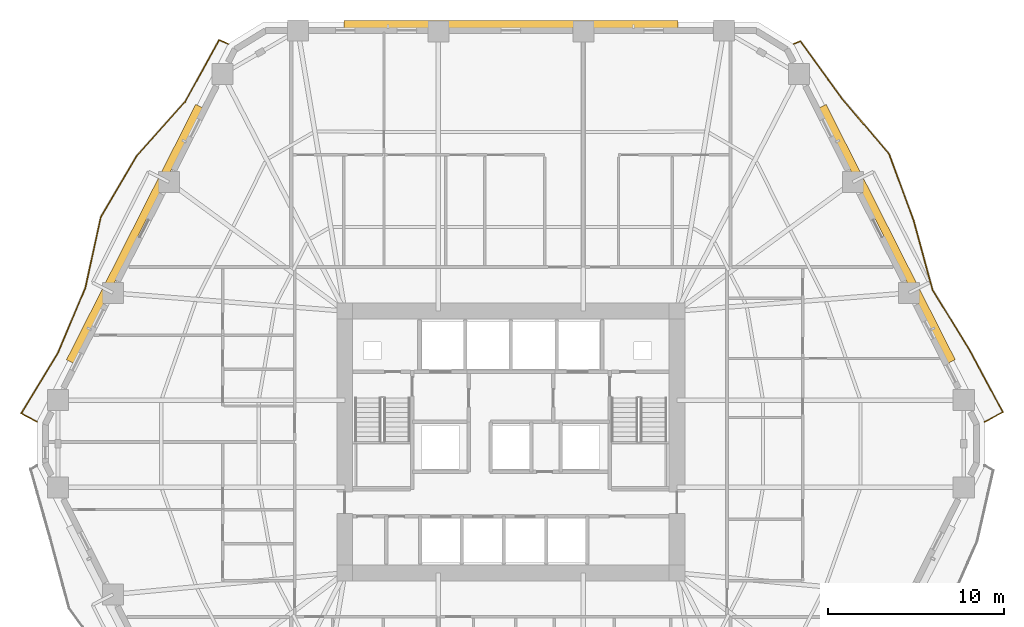
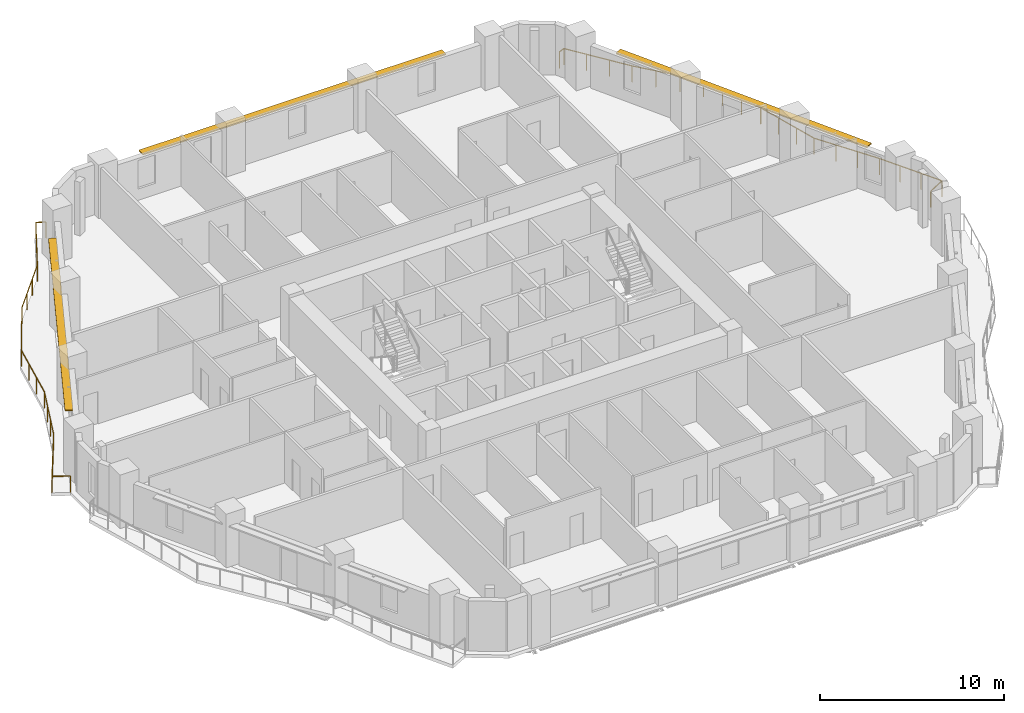
# One storey, part 14 of 14: 3 shading devices, 2 railings.
"""IFC4 building model written with IfcOpenShell, lengths in metres."""

from ifc_helpers import new_model, si_unit, direction, frame, origin, origin_2d, place, context, subcontext, project, spatial, rectangle, extrude, material, layer, layer_set, type_object, element, save


model = new_model("IFC4")

# Units and contexts
model_context = context("Model", 3, precision=1e-05, world=origin(), true_north=direction((0.0, 1.0)))
body_context = subcontext(model_context, "Body", "Model", "MODEL_VIEW")
ifc_project = project(units=[si_unit("LENGTHUNIT", "METRE"), si_unit("AREAUNIT", "SQUARE_METRE"), si_unit("VOLUMEUNIT", "CUBIC_METRE"), si_unit("PLANEANGLEUNIT", "RADIAN"), si_unit("MASSUNIT", "GRAM", prefix="KILO")], contexts=[model_context])

# Site, building, storey
site_placement = place(None, origin())
site = spatial("IfcSite", under=ifc_project, at=site_placement, CompositionType="ELEMENT")
building_placement = place(site_placement, origin())
building = spatial("IfcBuilding", under=site, at=building_placement, Name="Cinnabar Lancet Tower", CompositionType="ELEMENT")
storey_placement = place(building_placement, frame((0.0, 0.0, 35.550048828125)))
storey = spatial("IfcBuildingStorey", under=building, at=storey_placement, Name="L08", CompositionType="ELEMENT", Elevation=35.550048828125)

# Railings
ifc_material_1 = material(Name="Laminated safety glass and bronze stainless steel balustrade", Category="steel")
railing_type = type_object("IfcRailingType", Name="ENV-RLG-BAL-1100", PredefinedType="BALUSTRADE", material=ifc_material_1)
railing_1_placement = place(storey_placement, frame((59.367919921875, 27.049072265625, 0.0)))
element("IfcRailing", 1, at=railing_1_placement, inside=storey, type_object=railing_type, Name="L08 Face 3 Wave Balcony Balustrade", PredefinedType="BALUSTRADE", context=body_context, shape_type="SweptSolid", body=[
    extrude(rectangle(XDim=0.048095703125, YDim=0.048095703125, at=origin_2d()), frame((0.0, 0.0, 1.076171875), z_axis=(0.881160268064, 0.472817704815, 0.0), x_axis=(-0.472817704815, 0.881160268064, 0.0)), (0.0, 0.0, 1.0), 1.15869140625),
    extrude(rectangle(XDim=0.048095703125, YDim=0.048095703125, at=origin_2d()), frame((1.02099609375, 0.5478515625, 1.076171875), z_axis=(-0.472064185941, 0.881564180507, 0.0), x_axis=(-0.881564180507, -0.472064185941, 0.0)), (0.0, 0.0, 1.0), 4.007568359375),
    extrude(rectangle(XDim=0.048095703125, YDim=0.048095703125, at=origin_2d()), frame((-0.870849609375, 4.080810546875, 1.076171875), z_axis=(-0.523602646146, 0.851962598328, 0.0), x_axis=(-0.851962598328, -0.523602646146, 0.0)), (0.0, 0.0, 1.0), 4.020263671875),
    extrude(rectangle(XDim=0.048095703125, YDim=0.048095703125, at=origin_2d()), frame((-2.975830078125, 7.505859375, 1.076171875), z_axis=(-0.263233622832, 0.964732118161, 0.0), x_axis=(-0.964732118161, -0.263233622832, 0.0)), (0.0, 0.0, 1.0), 4.08837890625),
    extrude(rectangle(XDim=0.048095703125, YDim=0.048095703125, at=origin_2d()), frame((-4.052001953125, 11.449951171875, 1.076171875), z_axis=(-0.345910143857, 0.938267644319, 0.0), x_axis=(-0.938267644319, -0.345910143857, 0.0)), (0.0, 0.0, 1.0), 4.032958984375),
    extrude(rectangle(XDim=0.048095703125, YDim=0.048095703125, at=origin_2d()), frame((-5.447021484375, 15.23388671875, 1.076171875), z_axis=(-0.647624344991, 0.761959780943, 0.0), x_axis=(-0.761959780943, -0.647624344991, 0.0)), (0.0, 0.0, 1.0), 4.12109375),
    extrude(rectangle(XDim=0.048095703125, YDim=0.048095703125, at=origin_2d()), frame((-8.115966796875, 18.3740234375, 1.076171875), z_axis=(-0.58748108475, 0.809237897692, 0.0), x_axis=(-0.809237897692, -0.58748108475, 0.0)), (0.0, 0.0, 1.0), 4.05810546875),
    extrude(rectangle(XDim=0.048095703125, YDim=0.048095703125, at=origin_2d()), frame((-10.5, 21.657958984375, 1.076171875), z_axis=(-0.925034740877, -0.379882518908, 0.0), x_axis=(0.379882518908, -0.925034740877, 0.0)), (0.0, 0.0, 1.0), 0.41064453125),
    extrude(rectangle(XDim=0.0419921875, YDim=0.0419921875, at=origin_2d()), origin(), (0.0, 0.0, 1.0), 1.052001953125),
    extrude(rectangle(XDim=0.0419921875, YDim=0.0419921875, at=origin_2d()), frame((1.02099609375, 0.5478515625, 0.0)), (0.0, 0.0, 1.0), 1.052001953125),
    extrude(rectangle(XDim=0.0419921875, YDim=0.0419921875, at=origin_2d()), frame((0.390380859375, 1.7255859375, 0.0)), (0.0, 0.0, 1.0), 1.052001953125),
    extrude(rectangle(XDim=0.0419921875, YDim=0.0419921875, at=origin_2d()), frame((-0.240234375, 2.903076171875, 0.0)), (0.0, 0.0, 1.0), 1.052001953125),
    extrude(rectangle(XDim=0.0419921875, YDim=0.0419921875, at=origin_2d()), frame((-0.870849609375, 4.080810546875, 0.0)), (0.0, 0.0, 1.0), 1.052001953125),
    extrude(rectangle(XDim=0.0419921875, YDim=0.0419921875, at=origin_2d()), frame((-1.572509765625, 5.222412109375, 0.0)), (0.0, 0.0, 1.0), 1.052001953125),
    extrude(rectangle(XDim=0.0419921875, YDim=0.0419921875, at=origin_2d()), frame((-2.274169921875, 6.3642578125, 0.0)), (0.0, 0.0, 1.0), 1.052001953125),
    extrude(rectangle(XDim=0.0419921875, YDim=0.0419921875, at=origin_2d()), frame((-2.975830078125, 7.505859375, 0.0)), (0.0, 0.0, 1.0), 1.052001953125),
    extrude(rectangle(XDim=0.0419921875, YDim=0.0419921875, at=origin_2d()), frame((-3.33447265625, 8.820556640625, 0.0)), (0.0, 0.0, 1.0), 1.052001953125),
    extrude(rectangle(XDim=0.0419921875, YDim=0.0419921875, at=origin_2d()), frame((-3.693359375, 10.13525390625, 0.0)), (0.0, 0.0, 1.0), 1.052001953125),
    extrude(rectangle(XDim=0.0419921875, YDim=0.0419921875, at=origin_2d()), frame((-4.052001953125, 11.449951171875, 0.0)), (0.0, 0.0, 1.0), 1.052001953125),
    extrude(rectangle(XDim=0.0419921875, YDim=0.0419921875, at=origin_2d()), frame((-4.51708984375, 12.711181640625, 0.0)), (0.0, 0.0, 1.0), 1.052001953125),
    extrude(rectangle(XDim=0.0419921875, YDim=0.0419921875, at=origin_2d()), frame((-4.98193359375, 13.97265625, 0.0)), (0.0, 0.0, 1.0), 1.052001953125),
    extrude(rectangle(XDim=0.0419921875, YDim=0.0419921875, at=origin_2d()), frame((-5.447021484375, 15.23388671875, 0.0)), (0.0, 0.0, 1.0), 1.052001953125),
    extrude(rectangle(XDim=0.0419921875, YDim=0.0419921875, at=origin_2d()), frame((-6.336669921875, 16.280517578125, 0.0)), (0.0, 0.0, 1.0), 1.052001953125),
    extrude(rectangle(XDim=0.0419921875, YDim=0.0419921875, at=origin_2d()), frame((-7.226318359375, 17.327392578125, 0.0)), (0.0, 0.0, 1.0), 1.052001953125),
    extrude(rectangle(XDim=0.0419921875, YDim=0.0419921875, at=origin_2d()), frame((-8.115966796875, 18.3740234375, 0.0)), (0.0, 0.0, 1.0), 1.052001953125),
    extrude(rectangle(XDim=0.0419921875, YDim=0.0419921875, at=origin_2d()), frame((-8.91064453125, 19.46875, 0.0)), (0.0, 0.0, 1.0), 1.052001953125),
    extrude(rectangle(XDim=0.0419921875, YDim=0.0419921875, at=origin_2d()), frame((-9.705322265625, 20.563232421875, 0.0)), (0.0, 0.0, 1.0), 1.052001953125),
    extrude(rectangle(XDim=0.0419921875, YDim=0.0419921875, at=origin_2d()), frame((-10.5, 21.657958984375, 0.0)), (0.0, 0.0, 1.0), 1.052001953125),
    extrude(rectangle(XDim=0.0419921875, YDim=0.0419921875, at=origin_2d()), frame((-10.8798828125, 21.501953125, 0.0)), (0.0, 0.0, 1.0), 1.052001953125),
])
railing_2_placement = place(storey_placement, frame((16.31201171875, 48.551025390625, 0.0)))
element("IfcRailing", 2, at=railing_2_placement, inside=storey, type_object=railing_type, Name="L08 Face 5 Wave Balcony Balustrade", PredefinedType="BALUSTRADE", context=body_context, shape_type="SweptSolid", body=[
    extrude(rectangle(XDim=0.048095703125, YDim=0.048095703125, at=origin_2d()), frame((0.0, 0.0, 1.076171875), z_axis=(-0.916426395072, 0.400203276368, 0.0), x_axis=(-0.400203276368, -0.916426395072, 0.0)), (0.0, 0.0, 1.0), 0.561767578125),
    extrude(rectangle(XDim=0.048095703125, YDim=0.048095703125, at=origin_2d()), frame((-0.514892578125, 0.224853515625, 1.076171875), z_axis=(-0.481528441825, -0.876430464848, 0.0), x_axis=(0.876430464848, -0.481528441825, 0.0)), (0.0, 0.0, 1.0), 4.010498046875),
    extrude(rectangle(XDim=0.048095703125, YDim=0.048095703125, at=origin_2d()), frame((-2.446044921875, -3.2900390625, 1.076171875), z_axis=(-0.665930342005, -0.746013927214, 0.0), x_axis=(0.746013927214, -0.665930342005, 0.0)), (0.0, 0.0, 1.0), 4.14599609375),
    extrude(rectangle(XDim=0.048095703125, YDim=0.048095703125, at=origin_2d()), frame((-5.20703125, -6.383056640625, 1.076171875), z_axis=(-0.507060005027, -0.861910755996, 0.0), x_axis=(0.861910755996, -0.507060005027, 0.0)), (0.0, 0.0, 1.0), 4.01318359375),
    extrude(rectangle(XDim=0.048095703125, YDim=0.048095703125, at=origin_2d()), frame((-7.241943359375, -9.842041015625, 1.076171875), z_axis=(-0.213661683877, -0.976907715623, 0.0), x_axis=(0.976907715623, -0.213661683877, 0.0)), (0.0, 0.0, 1.0), 4.137451171875),
    extrude(rectangle(XDim=0.048095703125, YDim=0.048095703125, at=origin_2d()), frame((-8.1259765625, -13.884033203125, 1.076171875), z_axis=(-0.388519039656, -0.921440695772, 0.0), x_axis=(0.921440695772, -0.388519039656, 0.0)), (0.0, 0.0, 1.0), 4.015380859375),
    extrude(rectangle(XDim=0.048095703125, YDim=0.048095703125, at=origin_2d()), frame((-9.68603515625, -17.583984375, 1.076171875), z_axis=(-0.519507489496, -0.854465896545, 0.0), x_axis=(0.854465896545, -0.519507489496, 0.0)), (0.0, 0.0, 1.0), 4.01904296875),
    extrude(rectangle(XDim=0.048095703125, YDim=0.048095703125, at=origin_2d()), frame((-11.77392578125, -21.01806640625, 1.076171875), z_axis=(0.879396733414, -0.476089681952, 0.0), x_axis=(0.476089681952, 0.879396733414, 0.0)), (0.0, 0.0, 1.0), 1.016357421875),
    extrude(rectangle(XDim=0.0419921875, YDim=0.0419921875, at=origin_2d()), origin(), (0.0, 0.0, 1.0), 1.052001953125),
    extrude(rectangle(XDim=0.0419921875, YDim=0.0419921875, at=origin_2d()), frame((-0.514892578125, 0.224853515625, 0.0)), (0.0, 0.0, 1.0), 1.052001953125),
    extrude(rectangle(XDim=0.0419921875, YDim=0.0419921875, at=origin_2d()), frame((-1.15869140625, -0.94677734375, 0.0)), (0.0, 0.0, 1.0), 1.052001953125),
    extrude(rectangle(XDim=0.0419921875, YDim=0.0419921875, at=origin_2d()), frame((-1.80224609375, -2.118408203125, 0.0)), (0.0, 0.0, 1.0), 1.052001953125),
    extrude(rectangle(XDim=0.0419921875, YDim=0.0419921875, at=origin_2d()), frame((-2.446044921875, -3.2900390625, 0.0)), (0.0, 0.0, 1.0), 1.052001953125),
    extrude(rectangle(XDim=0.0419921875, YDim=0.0419921875, at=origin_2d()), frame((-3.366455078125, -4.321044921875, 0.0)), (0.0, 0.0, 1.0), 1.052001953125),
    extrude(rectangle(XDim=0.0419921875, YDim=0.0419921875, at=origin_2d()), frame((-4.28662109375, -5.35205078125, 0.0)), (0.0, 0.0, 1.0), 1.052001953125),
    extrude(rectangle(XDim=0.0419921875, YDim=0.0419921875, at=origin_2d()), frame((-5.20703125, -6.383056640625, 0.0)), (0.0, 0.0, 1.0), 1.052001953125),
    extrude(rectangle(XDim=0.0419921875, YDim=0.0419921875, at=origin_2d()), frame((-5.88525390625, -7.5361328125, 0.0)), (0.0, 0.0, 1.0), 1.052001953125),
    extrude(rectangle(XDim=0.0419921875, YDim=0.0419921875, at=origin_2d()), frame((-6.563720703125, -8.68896484375, 0.0)), (0.0, 0.0, 1.0), 1.052001953125),
    extrude(rectangle(XDim=0.0419921875, YDim=0.0419921875, at=origin_2d()), frame((-7.241943359375, -9.842041015625, 0.0)), (0.0, 0.0, 1.0), 1.052001953125),
    extrude(rectangle(XDim=0.0419921875, YDim=0.0419921875, at=origin_2d()), frame((-7.53662109375, -11.189453125, 0.0)), (0.0, 0.0, 1.0), 1.052001953125),
    extrude(rectangle(XDim=0.0419921875, YDim=0.0419921875, at=origin_2d()), frame((-7.831298828125, -12.53662109375, 0.0)), (0.0, 0.0, 1.0), 1.052001953125),
    extrude(rectangle(XDim=0.0419921875, YDim=0.0419921875, at=origin_2d()), frame((-8.1259765625, -13.884033203125, 0.0)), (0.0, 0.0, 1.0), 1.052001953125),
    extrude(rectangle(XDim=0.0419921875, YDim=0.0419921875, at=origin_2d()), frame((-8.64599609375, -15.117431640625, 0.0)), (0.0, 0.0, 1.0), 1.052001953125),
    extrude(rectangle(XDim=0.0419921875, YDim=0.0419921875, at=origin_2d()), frame((-9.166015625, -16.3505859375, 0.0)), (0.0, 0.0, 1.0), 1.052001953125),
    extrude(rectangle(XDim=0.0419921875, YDim=0.0419921875, at=origin_2d()), frame((-9.68603515625, -17.583984375, 0.0)), (0.0, 0.0, 1.0), 1.052001953125),
    extrude(rectangle(XDim=0.0419921875, YDim=0.0419921875, at=origin_2d()), frame((-10.382080078125, -18.728759765625, 0.0)), (0.0, 0.0, 1.0), 1.052001953125),
    extrude(rectangle(XDim=0.0419921875, YDim=0.0419921875, at=origin_2d()), frame((-11.077880859375, -19.873291015625, 0.0)), (0.0, 0.0, 1.0), 1.052001953125),
    extrude(rectangle(XDim=0.0419921875, YDim=0.0419921875, at=origin_2d()), frame((-11.77392578125, -21.01806640625, 0.0)), (0.0, 0.0, 1.0), 1.052001953125),
    extrude(rectangle(XDim=0.0419921875, YDim=0.0419921875, at=origin_2d()), frame((-10.880126953125, -21.501953125, 0.0)), (0.0, 0.0, 1.0), 1.052001953125),
])

# Shading devices
ifc_material_2 = material(Name="Pale limestone architectural aluminium sunshade", Category="masonry")
ifc_layer = layer(ifc_material_2, 0.080078125)
ifc_layer_set = layer_set([ifc_layer], Name="Pale limestone architectural aluminium sunshade")
shading_device_type = type_object("IfcShadingDeviceType", Name="ENV-SHD-LVR-450", PredefinedType="JALOUSIE", material=ifc_layer_set)
shading_device_1_placement = place(storey_placement, frame((53.81005859375, 37.743896484375, 2.639892578125), z_axis=(0.0, 0.0, 1.0), x_axis=(-0.451500573218, 0.892270829056, 0.0)))
element("IfcShadingDevice", 3, at=shading_device_1_placement, inside=storey, type_object=shading_device_type, Name="L08 Face 3 Horizontal Sunshade Canopy", PredefinedType="JALOUSIE", context=body_context, shape_type="SweptSolid", body=[
    extrude(rectangle(XDim=16.279052734375, YDim=0.449951171875, at=origin_2d()), origin(), (0.0, 0.0, 1.0), 0.080078125),
])
shading_device_2_placement = place(storey_placement, frame((32.39990234375, 49.669921875, 2.639892578125), z_axis=(0.0, 0.0, 1.0), x_axis=(-1.0, 0.0, 0.0)))
element("IfcShadingDevice", 4, at=shading_device_2_placement, inside=storey, type_object=shading_device_type, Name="L08 Face 4 Horizontal Sunshade Canopy", PredefinedType="JALOUSIE", context=body_context, shape_type="SweptSolid", body=[
    extrude(rectangle(XDim=18.993896484375, YDim=0.449951171875, at=origin_2d()), origin(), (0.0, 0.0, 1.0), 0.080078125),
])
shading_device_3_placement = place(storey_placement, frame((10.989990234375, 37.743896484375, 2.639892578125), z_axis=(0.0, 0.0, 1.0), x_axis=(-0.451500573218, -0.892270829056, 0.0)))
element("IfcShadingDevice", 5, at=shading_device_3_placement, inside=storey, type_object=shading_device_type, Name="L08 Face 5 Horizontal Sunshade Canopy", PredefinedType="JALOUSIE", context=body_context, shape_type="SweptSolid", body=[
    extrude(rectangle(XDim=16.279052734375, YDim=0.449951171875, at=origin_2d()), origin(), (0.0, 0.0, 1.0), 0.080078125),
])

save(model, "model.ifc")
